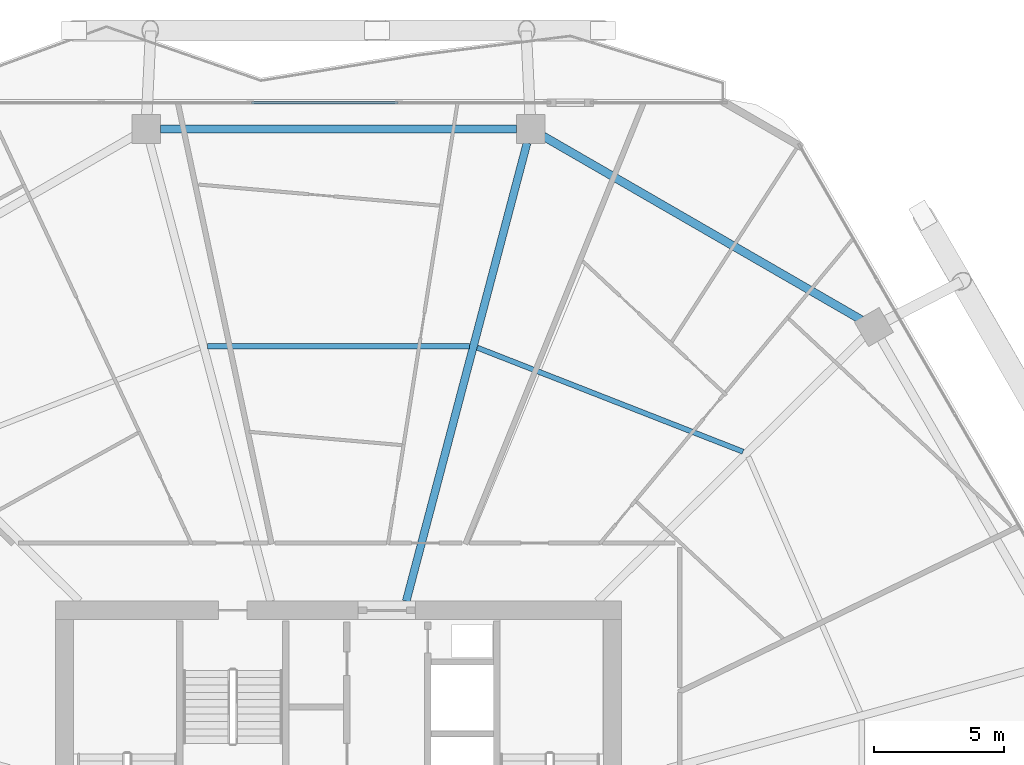
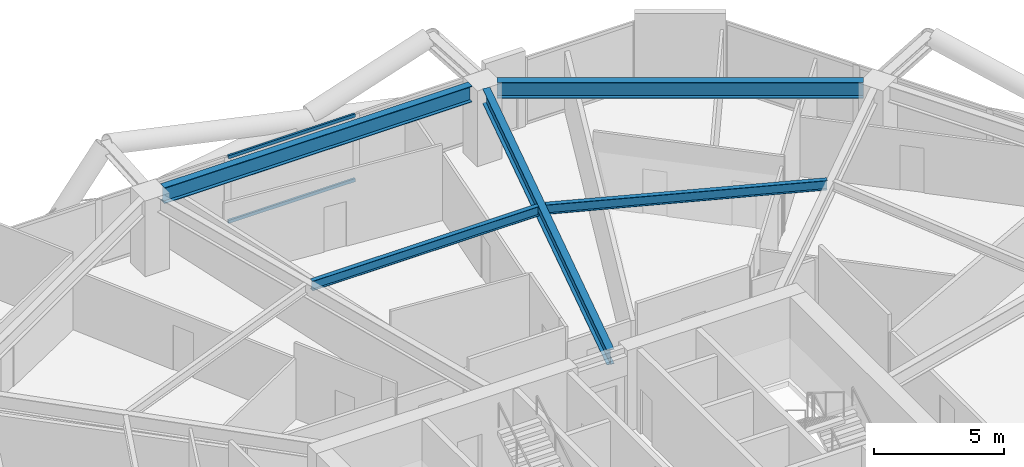
# One storey, part 22 of 35: 5 beams, 2 members, 1 element without a shape of its own.
"""IFC4 building model written with IfcOpenShell, lengths in metres."""

from ifc_helpers import new_model, si_unit, direction, frame, origin, origin_2d, place, context, subcontext, project, spatial, hollow_rectangle, i_section, extrude, material, material_profile, profile_set, type_object, element, aggregate, save


model = new_model("IFC4")

# Units and contexts
model_context = context("Model", 3, precision=1e-05, world=origin(), true_north=direction((0.0, 1.0)))
body_context = subcontext(model_context, "Body", "Model", "MODEL_VIEW")
ifc_project = project(units=[si_unit("LENGTHUNIT", "METRE"), si_unit("AREAUNIT", "SQUARE_METRE"), si_unit("VOLUMEUNIT", "CUBIC_METRE"), si_unit("PLANEANGLEUNIT", "RADIAN"), si_unit("MASSUNIT", "GRAM", prefix="KILO")], contexts=[model_context])

# Site, building, storey
site_placement = place(None, origin())
site = spatial("IfcSite", under=ifc_project, at=site_placement, CompositionType="ELEMENT")
building_placement = place(site_placement, origin())
building = spatial("IfcBuilding", under=site, at=building_placement, Name="Zuhravey Tower", CompositionType="ELEMENT")
storey_placement = place(building_placement, frame((0.0, 0.0, 138.0)))
storey = spatial("IfcBuildingStorey", under=building, at=storey_placement, Name="L34", CompositionType="ELEMENT", Elevation=138.0)

# Curtain wall, members
ifc_material_1 = material(Name="Thermally broken anodised aluminium", Category="aluminium")
curtain_wall_type = type_object("IfcCurtainWallType", Name="Zone 1-2 Residential Curtain Wall CW3", PredefinedType="NOTDEFINED", material=ifc_material_1)
curtain_wall_placement = place(storey_placement, origin())
curtain_wall = element("IfcCurtainWall", 1, at=curtain_wall_placement, inside=storey, type_object=curtain_wall_type, Name="L34 CW3 CW-L34-F2-1", PredefinedType="NOTDEFINED")
ifc_material_2 = material(Name="Anodised aluminium", Category="aluminium")
ifc_material_profile_1 = material_profile(ifc_material_2, hollow_rectangle(XDim=0.090087890625, YDim=0.14990234375, WallThickness=0.0048828125, at=origin_2d()), Name="ALU-RHS-90x150x5")
ifc_profile_set_1 = profile_set([ifc_material_profile_1], Name="Anodised aluminium")
member_type = type_object("IfcMemberType", Name="Curtain-Wall Transom 90x150", PredefinedType="USERDEFINED", material=ifc_profile_set_1)
member_1_placement = place(storey_placement, frame((32.66455078125, 60.95849609375, 0.044921875), z_axis=(1.0, 0.0, 0.0), x_axis=(0.0, 1.0, 0.0)))
member_1 = element("IfcMember", 2, at=member_1_placement, type_object=member_type, Name="CW3 transom 3.1", ObjectType="TRANSOM", PredefinedType="USERDEFINED", context=body_context, shape_type="SweptSolid", body=[
    extrude(hollow_rectangle(XDim=0.090087890625, YDim=0.14990234375, WallThickness=0.0048828125, at=origin_2d()), origin(), (0.0, 0.0, 1.0), 5.619384765625),
])
member_2_placement = place(storey_placement, frame((32.66455078125, 60.95849609375, 3.076904296875), z_axis=(1.0, 0.0, 0.0), x_axis=(0.0, 1.0, 0.0)))
member_2 = element("IfcMember", 3, at=member_2_placement, type_object=member_type, Name="CW3 transom 3.2", ObjectType="TRANSOM", PredefinedType="USERDEFINED", context=body_context, shape_type="SweptSolid", body=[
    extrude(hollow_rectangle(XDim=0.090087890625, YDim=0.14990234375, WallThickness=0.0048828125, at=origin_2d()), origin(), (0.0, 0.0, 1.0), 5.619384765625),
])
aggregate(curtain_wall, [member_1, member_2])

# Beams
ifc_material_3 = material(Name="Steel SM355", Category="steel")
ifc_material_profile_2 = material_profile(ifc_material_3, i_section(OverallWidth=0.320068359375, OverallDepth=0.75, WebThickness=0.013916015625, FlangeThickness=0.02490234375, at=origin_2d()), Name="H-750x320x14x25")
ifc_profile_set_2 = profile_set([ifc_material_profile_2], Name="Steel SM355")
beam_type_1 = type_object("IfcBeamType", Name="Perimeter Ring Beam H750x320", PredefinedType="BEAM", material=ifc_profile_set_2)
beam_1_placement = place(storey_placement, frame((56.0400390625, 52.63330078125, 3.175048828125), z_axis=(-0.866017786538, 0.500013193225, 0.0), x_axis=(-0.500013193225, -0.866017786538, 0.0)))
element("IfcBeam", 4, at=beam_1_placement, inside=storey, type_object=beam_type_1, Name="L34 PB1 BM-L34-PB-02", PredefinedType="BEAM", context=body_context, shape_type="SweptSolid", body=[
    extrude(i_section(OverallWidth=0.320068359375, OverallDepth=0.75, WebThickness=0.013916015625, FlangeThickness=0.02490234375, at=origin_2d()), origin(), (0.0, 0.0, 1.0), 14.0771484375),
])
beam_2_placement = place(storey_placement, frame((42.81689453125, 59.948486328125, 3.175048828125), z_axis=(-1.0, 0.0, 0.0), x_axis=(0.0, -1.0, 0.0)))
element("IfcBeam", 5, at=beam_2_placement, inside=storey, type_object=beam_type_1, Name="L34 PB1 BM-L34-PB-03", PredefinedType="BEAM", context=body_context, shape_type="SweptSolid", body=[
    extrude(i_section(OverallWidth=0.320068359375, OverallDepth=0.75, WebThickness=0.013916015625, FlangeThickness=0.02490234375, at=origin_2d()), origin(), (0.0, 0.0, 1.0), 13.6337890625),
])
ifc_material_profile_3 = material_profile(ifc_material_3, i_section(OverallWidth=0.300048828125, OverallDepth=0.699951171875, WebThickness=0.012939453125, FlangeThickness=0.02392578125, at=origin_2d()), Name="H-700x300x13x24")
ifc_profile_set_3 = profile_set([ifc_material_profile_3], Name="Steel SM355")
beam_type_2 = type_object("IfcBeamType", Name="Radial Primary Girder H700x300", PredefinedType="BEAM", material=ifc_profile_set_3)
beam_3_placement = place(storey_placement, frame((38.59814453125, 41.85302734375, 3.199951171875), z_axis=(0.25498755891, 0.966944333869, 0.0), x_axis=(-0.966944333869, 0.25498755891, 0.0)))
element("IfcBeam", 6, at=beam_3_placement, inside=storey, type_object=beam_type_2, Name="L34 RG1 BM-L34-RAD-03", PredefinedType="BEAM", context=body_context, shape_type="SweptSolid", body=[
    extrude(i_section(OverallWidth=0.300048828125, OverallDepth=0.699951171875, WebThickness=0.012939453125, FlangeThickness=0.02392578125, at=origin_2d()), origin(), (0.0, 0.0, 1.0), 18.1611328125),
])
ifc_material_profile_4 = material_profile(ifc_material_3, i_section(OverallWidth=0.199951171875, OverallDepth=0.449951171875, WebThickness=0.009033203125, FlangeThickness=0.013916015625, at=origin_2d()), Name="H-450x200x9x14")
ifc_profile_set_4 = profile_set([ifc_material_profile_4], Name="Steel SM355")
beam_type_3 = type_object("IfcBeamType", Name="Secondary Floor Joist H450x200", PredefinedType="JOIST", material=ifc_profile_set_4)
beam_4_placement = place(storey_placement, frame((51.50537109375, 47.581298828125, 3.324951171875), z_axis=(-0.931216764731, 0.364465824302, 0.0), x_axis=(-0.364465824302, -0.931216764731, 0.0)))
element("IfcBeam", 7, at=beam_4_placement, inside=storey, type_object=beam_type_3, Name="L34 SJ1 BM-L34-SJ-02-1", PredefinedType="JOIST", context=body_context, shape_type="SweptSolid", body=[
    extrude(i_section(OverallWidth=0.199951171875, OverallDepth=0.449951171875, WebThickness=0.009033203125, FlangeThickness=0.013916015625, at=origin_2d()), origin(), (0.0, 0.0, 1.0), 10.939453125),
])
beam_5_placement = place(storey_placement, frame((41.02099609375, 51.62451171875, 3.324951171875), z_axis=(-1.0, 0.0, 0.0), x_axis=(0.0, -1.0, 0.0)))
element("IfcBeam", 8, at=beam_5_placement, inside=storey, type_object=beam_type_3, Name="L34 SJ1 BM-L34-SJ-03-1", PredefinedType="JOIST", context=body_context, shape_type="SweptSolid", body=[
    extrude(i_section(OverallWidth=0.199951171875, OverallDepth=0.449951171875, WebThickness=0.009033203125, FlangeThickness=0.013916015625, at=origin_2d()), origin(), (0.0, 0.0, 1.0), 10.0419921875),
])

save(model, "model.ifc")
